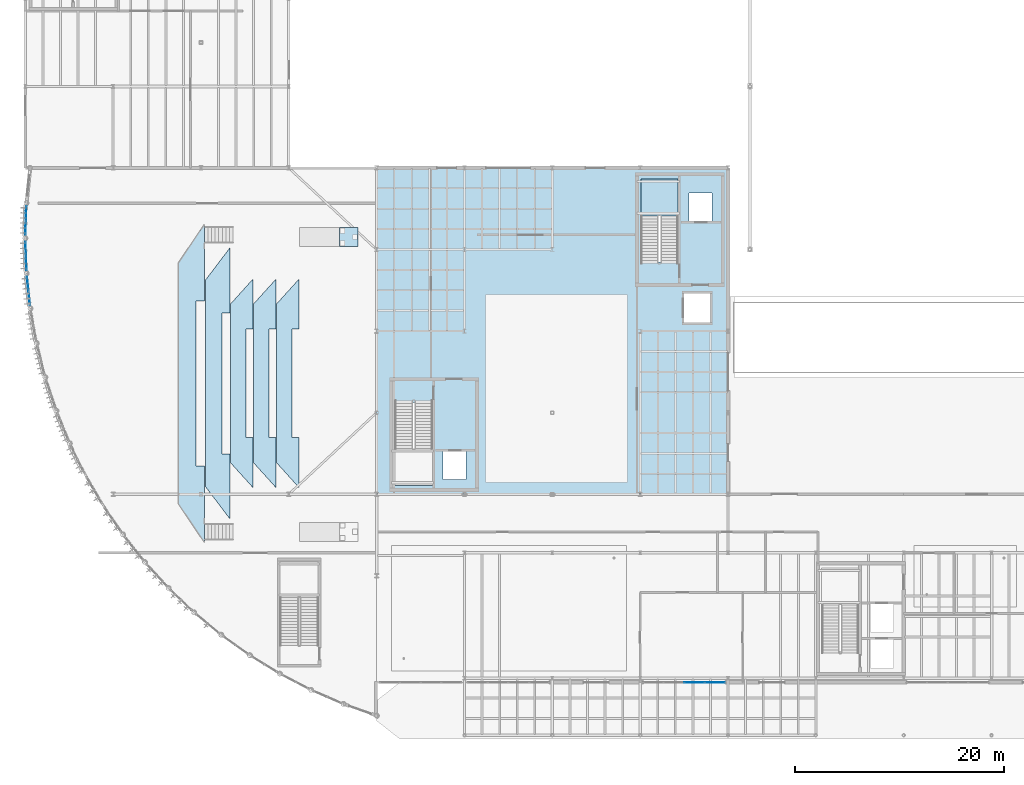
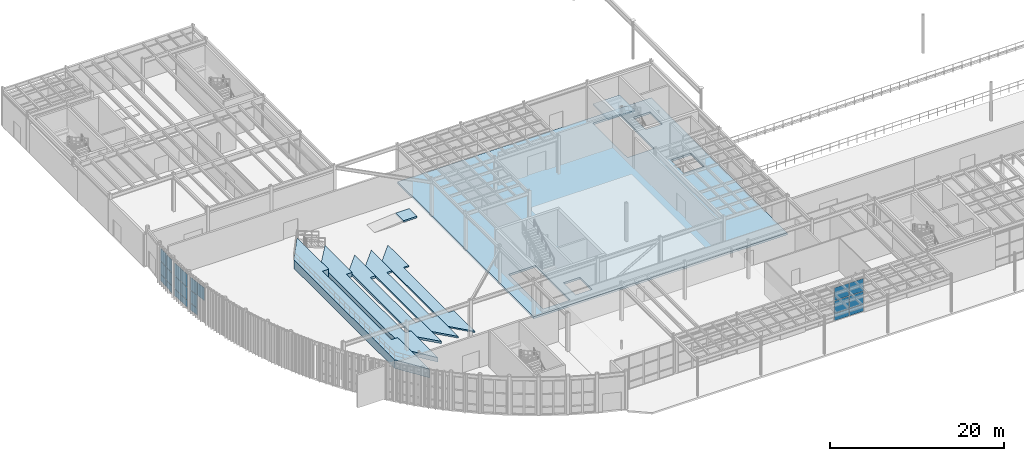
# One storey, part 56 of 87: 22 plates, 8 slabs, 6 elements without a shape of their own.
"""IFC4 building model written with IfcOpenShell, lengths in metres."""

import ifcopenshell
import ifcopenshell.guid

model = None  # the IFC model being written
_history = None  # IfcOwnerHistory: only IFC2X3 demands one
_inside = {}  # id of a spatial element -> (the spatial element, [elements in it])
_under = {}  # id of a project, library or spatial element -> (it, [spatial elements below it])
_declared = {}  # id of a project -> (the project, [libraries it declares])
_typed = {}  # id of a type object -> (the type object, [elements of that type])
_made_of = {}  # id of a material, layer set ... -> (it, [elements and type objects made of it])


def new_model(schema):
    """Start an empty IFC model of exactly this schema.

    Asked for "IFC4X3", IfcOpenShell would pick the latest addendum, in which some entities
    have other attributes; the version numbers below select the first issue.
    IFC2X3 requires an IfcOwnerHistory on every rooted entity: one is made here for all.
    """
    global model, _history
    if schema == "IFC4X3":
        model = ifcopenshell.file(schema_version=(4, 3, 0, 0))
    else:
        model = ifcopenshell.file(schema=schema)
    _inside.clear()
    _under.clear()
    _declared.clear()
    _typed.clear()
    _made_of.clear()
    _history = None
    if model.schema == "IFC2X3":
        org = make("IfcOrganization", Name="unknown")
        user = make(
            "IfcPersonAndOrganization",
            ThePerson=make("IfcPerson", FamilyName="unknown"),
            TheOrganization=org,
        )
        app = make(
            "IfcApplication",
            ApplicationDeveloper=org,
            Version="unknown",
            ApplicationFullName="unknown",
            ApplicationIdentifier="unknown",
        )
        _history = make(
            "IfcOwnerHistory",
            OwningUser=user,
            OwningApplication=app,
            ChangeAction="ADDED",
            CreationDate=0,
        )
    return model


def make(cls, **values):
    """One entity of the class cls with the attributes given. An attribute that is None is left unset."""
    return model.create_entity(
        cls, **{name: value for name, value in values.items() if value is not None}
    )


def rooted(cls, **values):
    """An entity with a GlobalId (a new one), such as an element, a storey or a relation."""
    return make(cls, GlobalId=ifcopenshell.guid.new(), OwnerHistory=_history, **values)


def si_unit(unit_type, name, prefix=None):
    """IfcSIUnit, for example si_unit("LENGTHUNIT", "METRE", prefix="MILLI")."""
    return make("IfcSIUnit", UnitType=unit_type, Prefix=prefix, Name=name)


def assignment(units):
    """IfcUnitAssignment: the units of a project."""
    return None if units is None else make("IfcUnitAssignment", Units=units)


def point(xyz):
    """IfcCartesianPoint."""
    return None if xyz is None else make("IfcCartesianPoint", Coordinates=xyz)


def direction(xyz):
    """IfcDirection."""
    return None if xyz is None else make("IfcDirection", DirectionRatios=xyz)


def frame(location, z_axis=None, x_axis=None):
    """IfcAxis2Placement3D, a coordinate frame: its origin and axes. An axis left out is left unset."""
    return make(
        "IfcAxis2Placement3D",
        Location=point(location),
        Axis=direction(z_axis),
        RefDirection=direction(x_axis),
    )


def frame_2d(location, x_axis=None):
    """IfcAxis2Placement2D, a coordinate frame in the plane: its origin and x axis."""
    return make(
        "IfcAxis2Placement2D", Location=point(location), RefDirection=direction(x_axis)
    )


def origin():
    """The frame at (0, 0, 0) with its axes left unset."""
    return frame((0.0, 0.0, 0.0))


def origin_2d():
    """The frame at (0, 0) in the plane with its x axis left unset."""
    return frame_2d((0.0, 0.0))


def place(relative_to, where):
    """IfcLocalPlacement: puts the frame where relative to a parent placement (None: the world)."""
    return make(
        "IfcLocalPlacement", PlacementRelTo=relative_to, RelativePlacement=where
    )


def context(
    kind, dimensions, precision=None, world=None, true_north=None, identifier=None
):
    """IfcGeometricRepresentationContext, for example the 3D "Model" context."""
    return make(
        "IfcGeometricRepresentationContext",
        ContextIdentifier=identifier,
        ContextType=kind,
        CoordinateSpaceDimension=dimensions,
        Precision=precision,
        WorldCoordinateSystem=world,
        TrueNorth=true_north,
    )


def subcontext(parent, identifier, kind, view, scale=None):
    """IfcGeometricRepresentationSubContext, for example "Body" below "Model"."""
    return make(
        "IfcGeometricRepresentationSubContext",
        ContextIdentifier=identifier,
        ContextType=kind,
        ParentContext=parent,
        TargetScale=scale,
        TargetView=view,
    )


def project(units=None, contexts=None):
    """IfcProject with its units and contexts."""
    return rooted(
        "IfcProject",
        Name="project",
        RepresentationContexts=contexts,
        UnitsInContext=assignment(units),
    )


def spatial(cls, under=None, at=None, **own):
    """A site, building, storey or space (cls), placed at a placement, below another one or the project."""
    s = rooted(cls, ObjectPlacement=at, **own)
    if under is not None:
        _under.setdefault(under.id(), (under, []))[1].append(s)
    return s


def polyline(points):
    """IfcPolyline through the points."""
    return make("IfcPolyline", Points=[point(p) for p in points])


def profile(cls, at=None, kind="AREA", **sizes):
    """A parametric profile (cls). Its sizes go by their IFC names, for example OverallWidth=200.0."""
    return make(cls, ProfileType=kind, Position=at, **sizes)


def rectangle(**sizes):
    """IfcRectangleProfileDef."""
    return profile("IfcRectangleProfileDef", **sizes)


def outline(outer, holes=None, kind="AREA"):
    """IfcArbitraryClosedProfileDef: a profile drawn as a closed curve; with holes, ...WithVoids."""
    if holes is None:
        return make("IfcArbitraryClosedProfileDef", ProfileType=kind, OuterCurve=outer)
    return make(
        "IfcArbitraryProfileDefWithVoids",
        ProfileType=kind,
        OuterCurve=outer,
        InnerCurves=holes,
    )


def extrude(swept, where, along, depth):
    """IfcExtrudedAreaSolid: the profile swept, set in the frame where, extruded along a direction by depth."""
    return make(
        "IfcExtrudedAreaSolid",
        SweptArea=swept,
        Position=where,
        ExtrudedDirection=direction(along),
        Depth=depth,
    )


def shape(context_of_items, identifier, shape_type, items):
    """IfcShapeRepresentation: the items that make up one representation, for example the "Body"."""
    return make(
        "IfcShapeRepresentation",
        ContextOfItems=context_of_items,
        RepresentationIdentifier=identifier,
        RepresentationType=shape_type,
        Items=items,
    )


def material(Name=None, Category=None):
    """IfcMaterial."""
    return make("IfcMaterial", Name=Name, Category=Category)


def layer(
    of_material, thickness, ventilated=None, Name=None, Category=None, Priority=None
):
    """IfcMaterialLayer: one layer of a wall or slab, of a material (None: an air gap)."""
    return make(
        "IfcMaterialLayer",
        Material=of_material,
        LayerThickness=thickness,
        IsVentilated=ventilated,
        Name=Name,
        Category=Category,
        Priority=Priority,
    )


def layer_set(layers, Name=None):
    """IfcMaterialLayerSet."""
    return make("IfcMaterialLayerSet", MaterialLayers=layers, LayerSetName=Name)


def made_of(thing, what):
    """Note that an element or type object is made of a material, layer set ...; save() writes the relation."""
    if what is not None:
        _made_of.setdefault(what.id(), (what, []))[1].append(thing)
    return thing


def type_object(cls, material=None, **own):
    """A type object (cls), such as IfcWallType, which elements share."""
    return made_of(rooted(cls, **own), material)


def element(
    cls,
    number,
    at=None,
    inside=None,
    cuts=None,
    type_object=None,
    material=None,
    context=None,
    identifier="Body",
    shape_type=None,
    held_by="IfcProductDefinitionShape",
    body=None,
    shapes=None,
    **own,
):
    """One element of the class cls, such as IfcWall. Its Tag is "e" and its number.

    at: its placement. inside: the storey or other place that contains it. cuts: it is an
    opening in that element (IfcRelVoidsElement). A single representation is given by context,
    identifier, shape_type and body (its items); several are given by shapes. held_by: the class
    of the entity that holds the representations. save() writes the other relations.
    """
    e = rooted(cls, Tag="e%d" % number, ObjectPlacement=at, **own)
    if body is not None:
        shapes = [shape(context, identifier, shape_type, body)]
    if shapes is not None:
        e.Representation = make(held_by, Representations=shapes)
    if inside is not None:
        _inside.setdefault(inside.id(), (inside, []))[1].append(e)
    if cuts is not None:
        rooted(
            "IfcRelVoidsElement", RelatingBuildingElement=cuts, RelatedOpeningElement=e
        )
    if type_object is not None:
        _typed.setdefault(type_object.id(), (type_object, []))[1].append(e)
    return made_of(e, material)


def aggregate(whole, parts):
    """IfcRelAggregates: a whole, such as a stair, and the parts it consists of."""
    return rooted("IfcRelAggregates", RelatingObject=whole, RelatedObjects=parts)


def save(model, path):
    """Write the relations noted so far, then the file.

    IfcRelAggregates (storeys below a building ...), IfcRelContainedInSpatialStructure (elements
    in a storey), IfcRelDefinesByType, IfcRelAssociatesMaterial and IfcRelDeclares: one each for
    every whole, place, type object, material and project.
    """
    for whole, parts in _under.values():
        aggregate(whole, parts)
    for where, things in _inside.values():
        rooted(
            "IfcRelContainedInSpatialStructure",
            RelatedElements=things,
            RelatingStructure=where,
        )
    for kind, things in _typed.values():
        rooted("IfcRelDefinesByType", RelatedObjects=things, RelatingType=kind)
    for what, things in _made_of.values():
        rooted("IfcRelAssociatesMaterial", RelatedObjects=things, RelatingMaterial=what)
    for by, libraries in _declared.values():
        rooted("IfcRelDeclares", RelatingContext=by, RelatedDefinitions=libraries)
    model.write(path)


model = new_model("IFC4")

# Units and contexts
model_context = context("Model", 3, precision=1e-05, world=origin(), true_north=direction((0.0, 1.0)))
body_context = subcontext(model_context, "Body", "Model", "MODEL_VIEW")
ifc_project = project(units=[si_unit("LENGTHUNIT", "METRE"), si_unit("AREAUNIT", "SQUARE_METRE"), si_unit("VOLUMEUNIT", "CUBIC_METRE"), si_unit("PLANEANGLEUNIT", "RADIAN"), si_unit("MASSUNIT", "GRAM", prefix="KILO")], contexts=[model_context])

# Site, building, storey
site_placement = place(None, origin())
site = spatial("IfcSite", under=ifc_project, at=site_placement, CompositionType="ELEMENT")
building_placement = place(site_placement, origin())
building = spatial("IfcBuilding", under=site, at=building_placement, Name="Selat Folded Stagehouse", CompositionType="ELEMENT")
storey_placement = place(building_placement, origin())
storey = spatial("IfcBuildingStorey", under=building, at=storey_placement, Name="L00", CompositionType="ELEMENT", Elevation=0.0)

# Curtain wall, plates
ifc_material_1 = material(Name="Aluminium 6063-T6", Category="aluminium")
ifc_layer_1 = layer(ifc_material_1, 0.2099609375)
ifc_layer_set_1 = layer_set([ifc_layer_1], Name="Aluminium 6063-T6")
curtain_wall_type_1 = type_object("IfcCurtainWallType", Name="CW-FYR-SOUTH", PredefinedType="NOTDEFINED", material=ifc_layer_set_1)
curtain_wall_1_placement = place(storey_placement, origin())
curtain_wall_1 = element("IfcCurtainWall", 1, at=curtain_wall_1_placement, inside=storey, type_object=curtain_wall_type_1, Name="L00 curtain wall CW-FYR-L00-02", PredefinedType="NOTDEFINED")
ifc_material_2 = material(Name="Acoustic laminated double glazing", Category="glass")
ifc_layer_2 = layer(ifc_material_2, 0.035888671875)
ifc_layer_set_2 = layer_set([ifc_layer_2], Name="Acoustic laminated double glazing")
plate_type_1 = type_object("IfcPlateType", Name="CWP-GLZ-DGU36", PredefinedType="CURTAIN_PANEL", material=ifc_layer_set_2)
plate_1_placement = place(storey_placement, frame((65.9462890625, 5.39990234375, 0.06494140625), z_axis=(0.0, 0.0, 1.0), x_axis=(-1.0, 0.0, 0.0)))
plate_1 = element("IfcPlate", 2, at=plate_1_placement, type_object=plate_type_1, Name="CW-04 panel 1.1", PredefinedType="CURTAIN_PANEL", context=body_context, shape_type="SweptSolid", body=[
    extrude(rectangle(XDim=1.87744140625, YDim=0.035888671875, at=origin_2d()), origin(), (0.0, 0.0, 1.0), 0.952392578125),
])
plate_2_placement = place(storey_placement, frame((65.9462890625, 5.39990234375, 1.08251953125), z_axis=(0.0, 0.0, 1.0), x_axis=(-1.0, 0.0, 0.0)))
plate_2 = element("IfcPlate", 3, at=plate_2_placement, type_object=plate_type_1, Name="CW-04 panel 1.2", PredefinedType="CURTAIN_PANEL", context=body_context, shape_type="SweptSolid", body=[
    extrude(rectangle(XDim=1.87744140625, YDim=0.035888671875, at=origin_2d()), origin(), (0.0, 0.0, 1.0), 1.735107421875),
])
plate_3_placement = place(storey_placement, frame((65.9462890625, 5.39990234375, 2.882568359375), z_axis=(0.0, 0.0, 1.0), x_axis=(-1.0, 0.0, 0.0)))
plate_3 = element("IfcPlate", 4, at=plate_3_placement, type_object=plate_type_1, Name="CW-04 panel 1.3", PredefinedType="CURTAIN_PANEL", context=body_context, shape_type="SweptSolid", body=[
    extrude(rectangle(XDim=1.87744140625, YDim=0.035888671875, at=origin_2d()), origin(), (0.0, 0.0, 1.0), 1.7724609375),
])
plate_4_placement = place(storey_placement, frame((63.987548828125, 5.39990234375, 0.06494140625), z_axis=(0.0, 0.0, 1.0), x_axis=(-1.0, 0.0, 0.0)))
plate_4 = element("IfcPlate", 5, at=plate_4_placement, type_object=plate_type_1, Name="CW-04 panel 2.1", PredefinedType="CURTAIN_PANEL", context=body_context, shape_type="SweptSolid", body=[
    extrude(rectangle(XDim=1.909912109375, YDim=0.035888671875, at=origin_2d()), origin(), (0.0, 0.0, 1.0), 0.952392578125),
])
plate_5_placement = place(storey_placement, frame((63.987548828125, 5.39990234375, 1.08251953125), z_axis=(0.0, 0.0, 1.0), x_axis=(-1.0, 0.0, 0.0)))
plate_5 = element("IfcPlate", 6, at=plate_5_placement, type_object=plate_type_1, Name="CW-04 panel 2.2", PredefinedType="CURTAIN_PANEL", context=body_context, shape_type="SweptSolid", body=[
    extrude(rectangle(XDim=1.909912109375, YDim=0.035888671875, at=origin_2d()), origin(), (0.0, 0.0, 1.0), 1.735107421875),
])
plate_6_placement = place(storey_placement, frame((63.987548828125, 5.39990234375, 2.882568359375), z_axis=(0.0, 0.0, 1.0), x_axis=(-1.0, 0.0, 0.0)))
plate_6 = element("IfcPlate", 7, at=plate_6_placement, type_object=plate_type_1, Name="CW-04 panel 2.3", PredefinedType="CURTAIN_PANEL", context=body_context, shape_type="SweptSolid", body=[
    extrude(rectangle(XDim=1.909912109375, YDim=0.035888671875, at=origin_2d()), origin(), (0.0, 0.0, 1.0), 1.7724609375),
])
aggregate(curtain_wall_1, [plate_1, plate_2, plate_3, plate_4, plate_5, plate_6])

ifc_layer_3 = layer(ifc_material_1, 0.219970703125)
ifc_layer_set_3 = layer_set([ifc_layer_3], Name="Aluminium 6063-T6")
curtain_wall_type_2 = type_object("IfcCurtainWallType", Name="CW-DRM-HIGH", PredefinedType="NOTDEFINED", material=ifc_layer_set_3)
curtain_wall_2_placement = place(storey_placement, origin())
curtain_wall_2 = element("IfcCurtainWall", 8, at=curtain_wall_2_placement, inside=storey, type_object=curtain_wall_type_2, Name="L00 curtain wall CW-DRM-L00-01", PredefinedType="NOTDEFINED")
ifc_material_3 = material(Name="Solar-control acoustic triple glazing", Category="glass")
ifc_layer_4 = layer(ifc_material_3, 0.0400390625)
ifc_layer_set_4 = layer_set([ifc_layer_4], Name="Solar-control acoustic triple glazing")
plate_type_2 = type_object("IfcPlateType", Name="CWP-GLZ-DGU40", PredefinedType="CURTAIN_PANEL", material=ifc_layer_set_4)
plate_7_placement = place(storey_placement, frame((0.0322265625, 48.86572265625, 0.06982421875), z_axis=(0.0, 0.0, 1.0), x_axis=(0.032625434862, 0.999467648801, 0.0)))
plate_7 = element("IfcPlate", 9, at=plate_7_placement, type_object=plate_type_2, Name="CW-01 panel 1.1", PredefinedType="CURTAIN_PANEL", context=body_context, shape_type="SweptSolid", body=[
    extrude(rectangle(XDim=1.329345703125, YDim=0.0400390625, at=origin_2d()), origin(), (0.0, 0.0, 1.0), 0.945068359375),
])
plate_8_placement = place(storey_placement, frame((0.0322265625, 48.86572265625, 1.0849609375), z_axis=(0.0, 0.0, 1.0), x_axis=(0.032625434862, 0.999467648801, 0.0)))
plate_8 = element("IfcPlate", 10, at=plate_8_placement, type_object=plate_type_2, Name="CW-01 panel 1.2", PredefinedType="CURTAIN_PANEL", context=body_context, shape_type="SweptSolid", body=[
    extrude(rectangle(XDim=1.329345703125, YDim=0.0400390625, at=origin_2d()), origin(), (0.0, 0.0, 1.0), 1.72998046875),
])
plate_9_placement = place(storey_placement, frame((0.0322265625, 48.86572265625, 2.88525390625), z_axis=(0.0, 0.0, 1.0), x_axis=(0.032625434862, 0.999467648801, 0.0)))
plate_9 = element("IfcPlate", 11, at=plate_9_placement, type_object=plate_type_2, Name="CW-01 panel 1.3", PredefinedType="CURTAIN_PANEL", context=body_context, shape_type="SweptSolid", body=[
    extrude(rectangle(XDim=1.329345703125, YDim=0.0400390625, at=origin_2d()), origin(), (0.0, 0.0, 1.0), 1.784912109375),
])
plate_10_placement = place(storey_placement, frame((0.077880859375, 50.2646484375, 0.06982421875), z_axis=(0.0, 0.0, 1.0), x_axis=(0.032625434862, 0.999467648801, 0.0)))
plate_10 = element("IfcPlate", 12, at=plate_10_placement, type_object=plate_type_2, Name="CW-01 panel 2.1", PredefinedType="CURTAIN_PANEL", context=body_context, shape_type="SweptSolid", body=[
    extrude(rectangle(XDim=1.329345703125, YDim=0.0400390625, at=origin_2d()), origin(), (0.0, 0.0, 1.0), 0.945068359375),
])
plate_11_placement = place(storey_placement, frame((0.077880859375, 50.2646484375, 1.0849609375), z_axis=(0.0, 0.0, 1.0), x_axis=(0.032625434862, 0.999467648801, 0.0)))
plate_11 = element("IfcPlate", 13, at=plate_11_placement, type_object=plate_type_2, Name="CW-01 panel 2.2", PredefinedType="CURTAIN_PANEL", context=body_context, shape_type="SweptSolid", body=[
    extrude(rectangle(XDim=1.329345703125, YDim=0.0400390625, at=origin_2d()), origin(), (0.0, 0.0, 1.0), 1.72998046875),
])
plate_12_placement = place(storey_placement, frame((0.077880859375, 50.2646484375, 2.88525390625), z_axis=(0.0, 0.0, 1.0), x_axis=(0.032625434862, 0.999467648801, 0.0)))
plate_12 = element("IfcPlate", 14, at=plate_12_placement, type_object=plate_type_2, Name="CW-01 panel 2.3", PredefinedType="CURTAIN_PANEL", context=body_context, shape_type="SweptSolid", body=[
    extrude(rectangle(XDim=1.329345703125, YDim=0.0400390625, at=origin_2d()), origin(), (0.0, 0.0, 1.0), 1.784912109375),
])
aggregate(curtain_wall_2, [plate_7, plate_8, plate_9, plate_10, plate_11, plate_12])

curtain_wall_3_placement = place(storey_placement, origin())
curtain_wall_3 = element("IfcCurtainWall", 15, at=curtain_wall_3_placement, inside=storey, type_object=curtain_wall_type_2, Name="L00 curtain wall CW-DRM-L00-02", PredefinedType="NOTDEFINED")
plate_13_placement = place(storey_placement, frame((0.089599609375, 45.4990234375, 0.06982421875), z_axis=(0.0, 0.0, 1.0), x_axis=(-0.037573727908, 0.999293858167, 0.0)))
plate_13 = element("IfcPlate", 16, at=plate_13_placement, type_object=plate_type_2, Name="CW-01 panel 1.1", PredefinedType="CURTAIN_PANEL", context=body_context, shape_type="SweptSolid", body=[
    extrude(rectangle(XDim=1.32958984375, YDim=0.0400390625, at=origin_2d()), origin(), (0.0, 0.0, 1.0), 0.945068359375),
])
plate_14_placement = place(storey_placement, frame((0.089599609375, 45.4990234375, 1.0849609375), z_axis=(0.0, 0.0, 1.0), x_axis=(-0.037573727908, 0.999293858167, 0.0)))
plate_14 = element("IfcPlate", 17, at=plate_14_placement, type_object=plate_type_2, Name="CW-01 panel 1.2", PredefinedType="CURTAIN_PANEL", context=body_context, shape_type="SweptSolid", body=[
    extrude(rectangle(XDim=1.32958984375, YDim=0.0400390625, at=origin_2d()), origin(), (0.0, 0.0, 1.0), 1.72998046875),
])
plate_15_placement = place(storey_placement, frame((0.089599609375, 45.4990234375, 2.88525390625), z_axis=(0.0, 0.0, 1.0), x_axis=(-0.037573727908, 0.999293858167, 0.0)))
plate_15 = element("IfcPlate", 18, at=plate_15_placement, type_object=plate_type_2, Name="CW-01 panel 1.3", PredefinedType="CURTAIN_PANEL", context=body_context, shape_type="SweptSolid", body=[
    extrude(rectangle(XDim=1.32958984375, YDim=0.0400390625, at=origin_2d()), origin(), (0.0, 0.0, 1.0), 1.784912109375),
])
plate_16_placement = place(storey_placement, frame((0.037109375, 46.8974609375, 0.06982421875), z_axis=(0.0, 0.0, 1.0), x_axis=(-0.037573727908, 0.999293858167, 0.0)))
plate_16 = element("IfcPlate", 19, at=plate_16_placement, type_object=plate_type_2, Name="CW-01 panel 2.1", PredefinedType="CURTAIN_PANEL", context=body_context, shape_type="SweptSolid", body=[
    extrude(rectangle(XDim=1.32958984375, YDim=0.0400390625, at=origin_2d()), origin(), (0.0, 0.0, 1.0), 0.945068359375),
])
plate_17_placement = place(storey_placement, frame((0.037109375, 46.8974609375, 1.0849609375), z_axis=(0.0, 0.0, 1.0), x_axis=(-0.037573727908, 0.999293858167, 0.0)))
plate_17 = element("IfcPlate", 20, at=plate_17_placement, type_object=plate_type_2, Name="CW-01 panel 2.2", PredefinedType="CURTAIN_PANEL", context=body_context, shape_type="SweptSolid", body=[
    extrude(rectangle(XDim=1.32958984375, YDim=0.0400390625, at=origin_2d()), origin(), (0.0, 0.0, 1.0), 1.72998046875),
])
plate_18_placement = place(storey_placement, frame((0.037109375, 46.8974609375, 2.88525390625), z_axis=(0.0, 0.0, 1.0), x_axis=(-0.037573727908, 0.999293858167, 0.0)))
plate_18 = element("IfcPlate", 21, at=plate_18_placement, type_object=plate_type_2, Name="CW-01 panel 2.3", PredefinedType="CURTAIN_PANEL", context=body_context, shape_type="SweptSolid", body=[
    extrude(rectangle(XDim=1.32958984375, YDim=0.0400390625, at=origin_2d()), origin(), (0.0, 0.0, 1.0), 1.784912109375),
])
aggregate(curtain_wall_3, [plate_13, plate_14, plate_15, plate_16, plate_17, plate_18])

curtain_wall_4_placement = place(storey_placement, origin())
curtain_wall_4 = element("IfcCurtainWall", 22, at=curtain_wall_4_placement, inside=storey, type_object=curtain_wall_type_2, Name="L00 curtain wall CW-DRM-L00-03", PredefinedType="NOTDEFINED")
plate_19_placement = place(storey_placement, frame((0.383056640625, 42.14453125, 2.88525390625), z_axis=(0.0, 0.0, 1.0), x_axis=(-0.107558193428, 0.994198790497, 0.0)))
plate_19 = element("IfcPlate", 23, at=plate_19_placement, type_object=plate_type_2, Name="CW-01 panel 1.3", PredefinedType="CURTAIN_PANEL", context=body_context, shape_type="SweptSolid", body=[
    extrude(rectangle(XDim=1.32958984375, YDim=0.0400390625, at=origin_2d()), origin(), (0.0, 0.0, 1.0), 1.784912109375),
])
plate_20_placement = place(storey_placement, frame((0.232666015625, 43.535888671875, 0.06982421875), z_axis=(0.0, 0.0, 1.0), x_axis=(-0.107558193428, 0.994198790497, 0.0)))
plate_20 = element("IfcPlate", 24, at=plate_20_placement, type_object=plate_type_2, Name="CW-01 panel 2.1", PredefinedType="CURTAIN_PANEL", context=body_context, shape_type="SweptSolid", body=[
    extrude(rectangle(XDim=1.32958984375, YDim=0.0400390625, at=origin_2d()), origin(), (0.0, 0.0, 1.0), 0.945068359375),
])
plate_21_placement = place(storey_placement, frame((0.232666015625, 43.535888671875, 1.0849609375), z_axis=(0.0, 0.0, 1.0), x_axis=(-0.107558193428, 0.994198790497, 0.0)))
plate_21 = element("IfcPlate", 25, at=plate_21_placement, type_object=plate_type_2, Name="CW-01 panel 2.2", PredefinedType="CURTAIN_PANEL", context=body_context, shape_type="SweptSolid", body=[
    extrude(rectangle(XDim=1.32958984375, YDim=0.0400390625, at=origin_2d()), origin(), (0.0, 0.0, 1.0), 1.72998046875),
])
plate_22_placement = place(storey_placement, frame((0.232666015625, 43.535888671875, 2.88525390625), z_axis=(0.0, 0.0, 1.0), x_axis=(-0.107558193428, 0.994198790497, 0.0)))
plate_22 = element("IfcPlate", 26, at=plate_22_placement, type_object=plate_type_2, Name="CW-01 panel 2.3", PredefinedType="CURTAIN_PANEL", context=body_context, shape_type="SweptSolid", body=[
    extrude(rectangle(XDim=1.32958984375, YDim=0.0400390625, at=origin_2d()), origin(), (0.0, 0.0, 1.0), 1.784912109375),
])
aggregate(curtain_wall_4, [plate_19, plate_20, plate_21, plate_22])

# Slab
ifc_material_4 = material(Name="Concrete C40/50", Category="concrete")
ifc_layer_5 = layer(ifc_material_4, 0.280029296875)
ifc_layer_set_5 = layer_set([ifc_layer_5], Name="Concrete C40/50")
slab_type_1 = type_object("IfcSlabType", Name="SLAB-FLR-280-STAGE", PredefinedType="FLOOR", material=ifc_layer_set_5)
slab_1_placement = place(storey_placement, frame((0.0, 0.0, -0.280029296875)))
element("IfcSlab", 27, at=slab_1_placement, inside=storey, type_object=slab_type_1, Name="L00 V2 floor slab SL-L00-V2", PredefinedType="FLOOR", context=body_context, shape_type="SweptSolid", body=[
    extrude(outline(polyline([(33.60009765625, 23.39990234375), (67.199951171875, 23.39990234375), (67.199951171875, 54.60009765625), (33.60009765625, 54.60009765625), (33.60009765625, 23.39990234375)]), holes=[polyline([(39.949951171875, 24.800048828125), (39.949951171875, 27.60009765625), (42.14990234375, 27.60009765625), (42.14990234375, 24.800048828125), (39.949951171875, 24.800048828125)]), polyline([(35.360107421875, 24.239990234375), (35.360107421875, 32.179931640625), (38.919921875, 32.179931640625), (38.919921875, 24.239990234375), (35.360107421875, 24.239990234375)]), polyline([(62.89990234375, 39.699951171875), (62.89990234375, 42.699951171875), (65.60009765625, 42.699951171875), (65.60009765625, 39.699951171875), (62.89990234375, 39.699951171875)]), polyline([(58.860107421875, 53.56005859375), (62.419921875, 53.56005859375), (62.419921875, 45.6201171875), (58.860107421875, 45.6201171875), (58.860107421875, 53.56005859375)]), polyline([(63.449951171875, 52.199951171875), (65.64990234375, 52.199951171875), (65.64990234375, 49.39990234375), (63.449951171875, 49.39990234375), (63.449951171875, 52.199951171875)])]), origin(), (0.0, 0.0, 1.0), 0.280029296875),
])

# Ramp, slab
ramp_type = type_object("IfcRampType", Name="RMP-ACC-1800", PredefinedType="STRAIGHT_RUN_RAMP", material=ifc_material_4)
ramp_placement = place(storey_placement, origin())
ramp = element("IfcRamp", 28, at=ramp_placement, inside=storey, type_object=ramp_type, Name="Main Theatre North Stalls Accessible Ramp", PredefinedType="STRAIGHT_RUN_RAMP")
ifc_layer_6 = layer(ifc_material_4, 0.215087890625)
ifc_layer_set_6 = layer_set([ifc_layer_6], Name="Concrete C40/50")
slab_type_2 = type_object("IfcSlabType", Name="SLAB-RMP-LDG-215", PredefinedType="LANDING", material=ifc_layer_set_6)
slab_2_placement = place(storey_placement, frame((0.0, 0.0, 0.10498046875)))
slab_2 = element("IfcSlab", 29, at=slab_2_placement, type_object=slab_type_2, Name="Main Theatre North Stalls Accessible Ramp landing 1", PredefinedType="LANDING", context=body_context, shape_type="SweptSolid", body=[
    extrude(outline(polyline([(30.0400390625, 47.10009765625), (31.840087890625, 47.10009765625), (31.840087890625, 48.89990234375), (30.0400390625, 48.89990234375), (30.0400390625, 47.10009765625)])), origin(), (0.0, 0.0, 1.0), 0.215087890625),
])
aggregate(ramp, [slab_2])

# Stair, slab
stair_type = type_object("IfcStairType", Name="STR-DOG-1700-34R", PredefinedType="HALF_TURN_STAIR", material=ifc_material_4)
stair_placement = place(storey_placement, origin())
stair = element("IfcStair", 30, at=stair_placement, inside=storey, type_object=stair_type, Name="L00 Core 2 North-East Stage Fire Core", PredefinedType="HALF_TURN_STAIR")
ifc_layer_7 = layer(ifc_material_4, 0.199951171875)
ifc_layer_set_7 = layer_set([ifc_layer_7], Name="Concrete C40/50")
slab_type_3 = type_object("IfcSlabType", Name="SLAB-STR-LDG-200", PredefinedType="LANDING", material=ifc_layer_set_7)
slab_3_placement = place(storey_placement, frame((0.0, 0.0, 2.5)))
slab_3 = element("IfcSlab", 31, at=slab_3_placement, type_object=slab_type_3, Name="ST-1700-34R landing 1", PredefinedType="LANDING", context=body_context, shape_type="SweptSolid", body=[
    extrude(outline(polyline([(62.419921875, 50.02001953125), (62.419921875, 53.56005859375), (58.860107421875, 53.56005859375), (58.860107421875, 50.02001953125), (62.419921875, 50.02001953125)])), origin(), (0.0, 0.0, 1.0), 0.199951171875),
])
aggregate(stair, [slab_3])

# Slabs
ifc_layer_8 = layer(ifc_material_4, 0.18505859375)
ifc_layer_set_8 = layer_set([ifc_layer_8], Name="Concrete C40/50")
slab_type_4 = type_object("IfcSlabType", Name="SLAB-TIER-T185", PredefinedType="USERDEFINED", material=ifc_layer_set_8)
slab_4_placement = place(storey_placement, origin())
element("IfcSlab", 32, at=slab_4_placement, inside=storey, type_object=slab_type_4, Name="L00 auditorium seating tier TIER-MT-S1", ObjectType="SEATING TIER", PredefinedType="USERDEFINED", context=body_context, shape_type="SweptSolid", body=[
    extrude(outline(polyline([(24.02001953125, 26.415283203125), (26.179931640625, 24.02001953125), (26.179931640625, 28.810302734375), (25.48876953125, 28.810302734375), (25.48876953125, 39.189697265625), (26.179931640625, 39.189697265625), (26.179931640625, 43.97998046875), (24.02001953125, 41.584716796875), (24.02001953125, 26.415283203125)])), origin(), (0.0, 0.0, 1.0), 0.18505859375),
])
ifc_layer_9 = layer(ifc_material_4, 0.2451171875)
ifc_layer_set_9 = layer_set([ifc_layer_9], Name="Concrete C40/50")
slab_type_5 = type_object("IfcSlabType", Name="SLAB-TIER-T245", PredefinedType="USERDEFINED", material=ifc_layer_set_9)
slab_5_placement = place(storey_placement, origin())
element("IfcSlab", 33, at=slab_5_placement, inside=storey, type_object=slab_type_5, Name="L00 auditorium seating tier TIER-MT-S2", ObjectType="SEATING TIER", PredefinedType="USERDEFINED", context=body_context, shape_type="SweptSolid", body=[
    extrude(outline(polyline([(21.820068359375, 26.415283203125), (23.97998046875, 24.02001953125), (23.97998046875, 28.810302734375), (23.288818359375, 28.810302734375), (23.288818359375, 39.189697265625), (23.97998046875, 39.189697265625), (23.97998046875, 43.97998046875), (21.820068359375, 41.584716796875), (21.820068359375, 26.415283203125)])), origin(), (0.0, 0.0, 1.0), 0.2451171875),
])
ifc_layer_10 = layer(ifc_material_4, 0.31005859375)
ifc_layer_set_10 = layer_set([ifc_layer_10], Name="Concrete C40/50")
slab_type_6 = type_object("IfcSlabType", Name="SLAB-TIER-T310", PredefinedType="USERDEFINED", material=ifc_layer_set_10)
slab_6_placement = place(storey_placement, origin())
element("IfcSlab", 34, at=slab_6_placement, inside=storey, type_object=slab_type_6, Name="L00 auditorium seating tier TIER-MT-S3", ObjectType="SEATING TIER", PredefinedType="USERDEFINED", context=body_context, shape_type="SweptSolid", body=[
    extrude(outline(polyline([(19.6201171875, 26.415283203125), (21.780029296875, 24.02001953125), (21.780029296875, 28.810302734375), (21.0888671875, 28.810302734375), (21.0888671875, 39.189697265625), (21.780029296875, 39.189697265625), (21.780029296875, 43.97998046875), (19.6201171875, 41.584716796875), (19.6201171875, 26.415283203125)])), origin(), (0.0, 0.0, 1.0), 0.31005859375),
])
ifc_layer_11 = layer(ifc_material_4, 0.6201171875)
ifc_layer_set_11 = layer_set([ifc_layer_11], Name="Concrete C40/50")
slab_type_7 = type_object("IfcSlabType", Name="SLAB-TIER-T340", PredefinedType="USERDEFINED", material=ifc_layer_set_11)
slab_7_placement = place(storey_placement, origin())
element("IfcSlab", 35, at=slab_7_placement, inside=storey, type_object=slab_type_7, Name="L00 auditorium seating tier TIER-MT-S4", ObjectType="SEATING TIER", PredefinedType="USERDEFINED", context=body_context, shape_type="SweptSolid", body=[
    extrude(outline(polyline([(17.219970703125, 24.13525390625), (19.580078125, 21.02001953125), (19.580078125, 27.25048828125), (18.82470703125, 27.25048828125), (18.82470703125, 40.74951171875), (19.580078125, 40.74951171875), (19.580078125, 46.97998046875), (17.219970703125, 43.86474609375), (17.219970703125, 24.13525390625)])), origin(), (0.0, 0.0, 1.0), 0.6201171875),
])
ifc_layer_12 = layer(ifc_material_4, 1.215087890625)
ifc_layer_set_12 = layer_set([ifc_layer_12], Name="Concrete C40/50")
slab_type_8 = type_object("IfcSlabType", Name="SLAB-TIER-T780", PredefinedType="USERDEFINED", material=ifc_layer_set_12)
slab_8_placement = place(storey_placement, origin())
element("IfcSlab", 36, at=slab_8_placement, inside=storey, type_object=slab_type_8, Name="L00 auditorium seating tier TIER-MT-S5", ObjectType="SEATING TIER", PredefinedType="USERDEFINED", context=body_context, shape_type="SweptSolid", body=[
    extrude(outline(polyline([(14.6201171875, 22.463134765625), (17.139892578125, 18.820068359375), (17.139892578125, 26.1064453125), (16.33349609375, 26.1064453125), (16.33349609375, 41.8935546875), (17.139892578125, 41.8935546875), (17.139892578125, 49.179931640625), (14.6201171875, 45.536865234375), (14.6201171875, 22.463134765625)])), origin(), (0.0, 0.0, 1.0), 1.215087890625),
])

save(model, "model.ifc")
